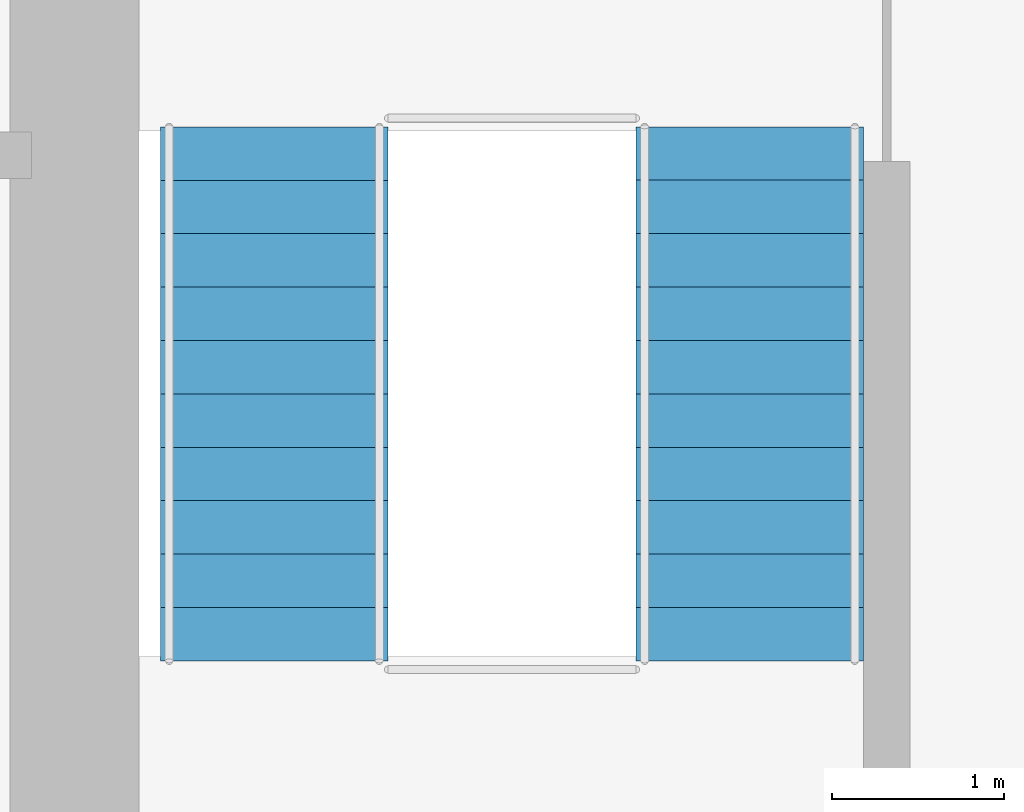
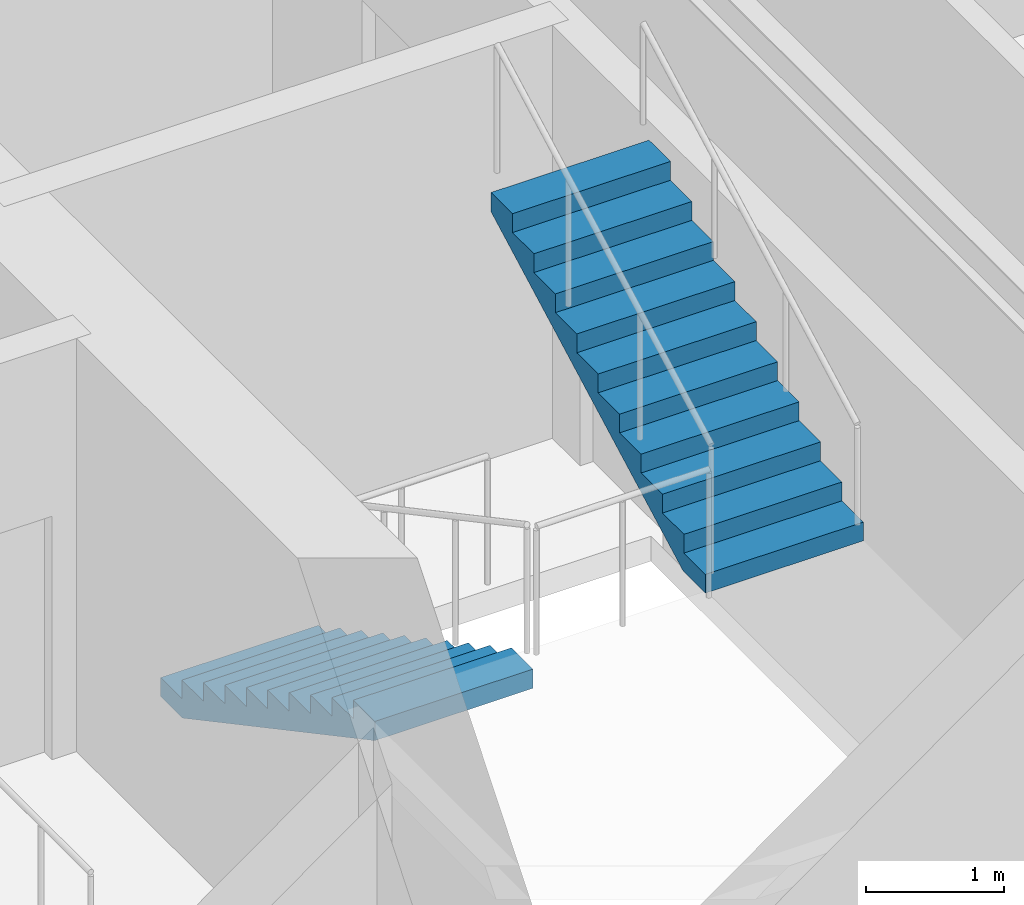
# One storey, part 21 of 23: 2 stair flights, 1 element without a shape of its own.
"""IFC4 building model written with IfcOpenShell, lengths in metres."""

from ifc_helpers import new_model, si_unit, direction, frame, origin, place, context, subcontext, project, spatial, polyline, outline, extrude, material, type_object, element, aggregate, save


model = new_model("IFC4")

# Units and contexts
model_context = context("Model", 3, precision=1e-05, world=origin(), true_north=direction((0.0, 1.0)))
body_context = subcontext(model_context, "Body", "Model", "MODEL_VIEW")
ifc_project = project(units=[si_unit("LENGTHUNIT", "METRE"), si_unit("AREAUNIT", "SQUARE_METRE"), si_unit("VOLUMEUNIT", "CUBIC_METRE"), si_unit("PLANEANGLEUNIT", "RADIAN"), si_unit("MASSUNIT", "GRAM", prefix="KILO")], contexts=[model_context])

# Site, building, storey
site_placement = place(None, origin())
site = spatial("IfcSite", under=ifc_project, at=site_placement, CompositionType="ELEMENT")
building_placement = place(site_placement, origin())
building = spatial("IfcBuilding", under=site, at=building_placement, Name="Lazwardi Medical Tower", CompositionType="ELEMENT")
storey_placement = place(building_placement, frame((0.0, 0.0, 121.8720703125)))
storey = spatial("IfcBuildingStorey", under=building, at=storey_placement, Name="L31", CompositionType="ELEMENT", Elevation=121.8720703125)

# Stair, stair flights
ifc_material = material(Name="Concrete C45/55", Category="concrete")
stair_type = type_object("IfcStairType", Name="STR-WRD", PredefinedType="HALF_TURN_STAIR", material=ifc_material)
stair_placement = place(storey_placement, origin())
stair = element("IfcStair", 1, at=stair_placement, inside=storey, type_object=stair_type, Name="L31 Protected Exit Stair ST3", PredefinedType="HALF_TURN_STAIR")
stair_flight_type = type_object("IfcStairFlightType", Name="FLT-WRD", PredefinedType="STRAIGHT", material=ifc_material)
stair_flight_1_placement = place(storey_placement, frame((46.860107421875, 30.39990234375, 0.0), z_axis=(0.0, 0.0, 1.0), x_axis=(0.0, -1.0, 0.0)))
stair_flight_1 = element("IfcStairFlight", 2, at=stair_flight_1_placement, type_object=stair_flight_type, Name="ST3 flight 1", NumberOfRisers=11, NumberOfTreads=10, PredefinedType="STRAIGHT", RiserHeight=0.165818182, TreadLength=0.31, context=body_context, shape_type="SweptSolid", body=[
    extrude(outline(polyline([(0.0, 0.0), (0.0, 0.165771484375), (0.31005859375, 0.165771484375), (0.31005859375, 0.33154296875), (0.6201171875, 0.33154296875), (0.6201171875, 0.49755859375), (0.929931640625, 0.49755859375), (0.929931640625, 0.663330078125), (1.239990234375, 0.663330078125), (1.239990234375, 0.8291015625), (1.550048828125, 0.8291015625), (1.550048828125, 0.994873046875), (1.860107421875, 0.994873046875), (1.860107421875, 1.16064453125), (2.169921875, 1.16064453125), (2.169921875, 1.32666015625), (2.47998046875, 1.32666015625), (2.47998046875, 1.492431640625), (2.7900390625, 1.492431640625), (2.7900390625, 1.658203125), (3.10009765625, 1.658203125), (3.10009765625, 1.823974609375), (3.10009765625, 1.48828125), (0.31787109375, 0.0), (0.0, 0.0)])), frame((0.0, 0.66015625, 0.0), z_axis=(0.0, -1.0, 0.0), x_axis=(1.0, 0.0, 0.0)), (0.0, 0.0, 1.0), 1.320068359375),
])
stair_flight_2_placement = place(storey_placement, frame((49.6201171875, 27.300048828125, 1.823974609375), z_axis=(0.0, 0.0, 1.0), x_axis=(0.0, 1.0, 0.0)))
stair_flight_2 = element("IfcStairFlight", 3, at=stair_flight_2_placement, type_object=stair_flight_type, Name="ST3 flight 2", NumberOfRisers=11, NumberOfTreads=10, PredefinedType="STRAIGHT", RiserHeight=0.165818182, TreadLength=0.31, context=body_context, shape_type="SweptSolid", body=[
    extrude(outline(polyline([(0.0, 0.0), (0.0, 0.165771484375), (0.31005859375, 0.165771484375), (0.31005859375, 0.33154296875), (0.6201171875, 0.33154296875), (0.6201171875, 0.49755859375), (0.929931640625, 0.49755859375), (0.929931640625, 0.663330078125), (1.239990234375, 0.663330078125), (1.239990234375, 0.8291015625), (1.550048828125, 0.8291015625), (1.550048828125, 0.994873046875), (1.860107421875, 0.994873046875), (1.860107421875, 1.16064453125), (2.169921875, 1.16064453125), (2.169921875, 1.32666015625), (2.47998046875, 1.32666015625), (2.47998046875, 1.492431640625), (2.7900390625, 1.492431640625), (2.7900390625, 1.658203125), (3.10009765625, 1.658203125), (3.10009765625, 1.823974609375), (3.10009765625, 1.48828125), (0.31787109375, 0.0), (0.0, 0.0)])), frame((0.0, 0.66015625, 0.0), z_axis=(0.0, -1.0, 0.0), x_axis=(1.0, 0.0, 0.0)), (0.0, 0.0, 1.0), 1.320068359375),
])
aggregate(stair, [stair_flight_1, stair_flight_2])

save(model, "model.ifc")
